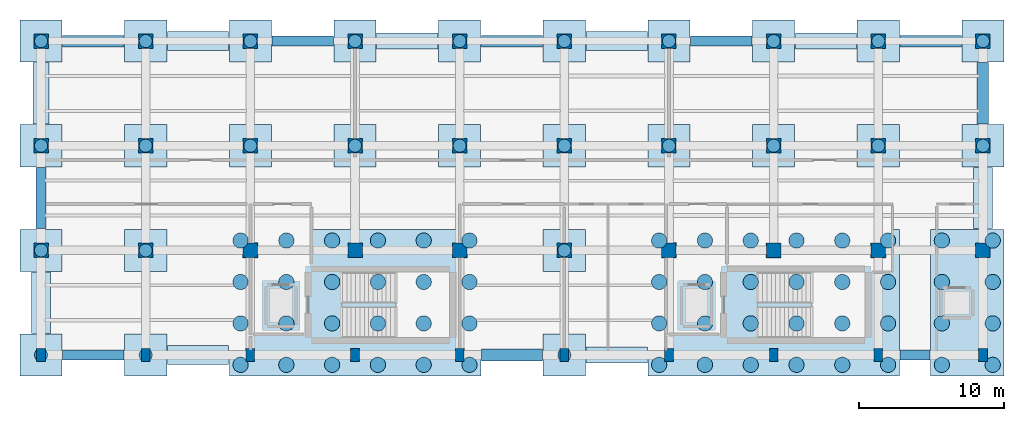
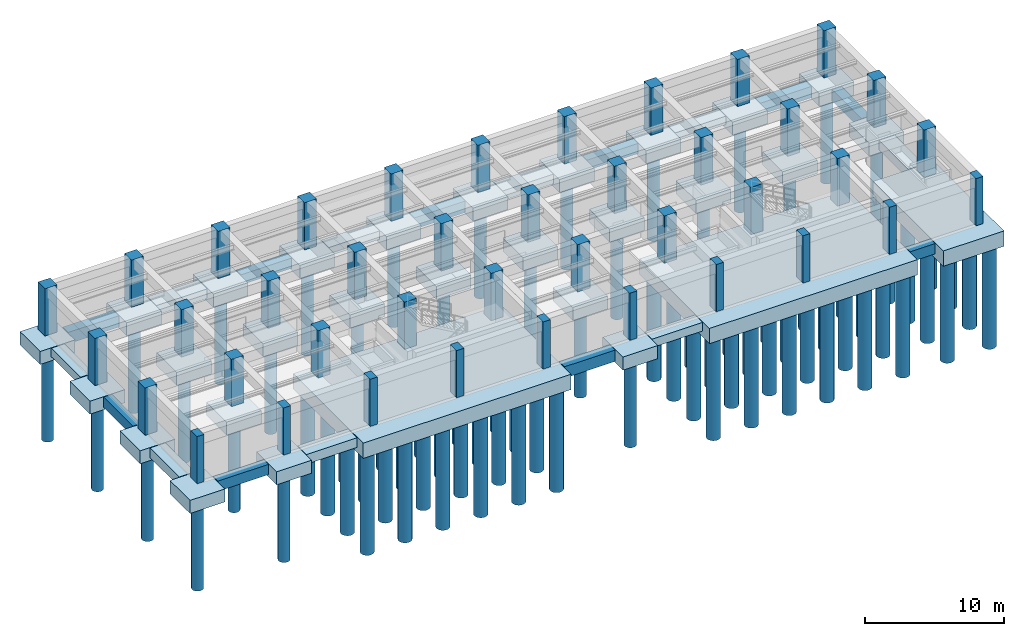
# One storey, part 1 of 8: 82 piles, 48 footings, 40 columns.
"""IFC4 building model written with IfcOpenShell, lengths in metres."""

from ifc_helpers import new_model, si_unit, direction, frame, origin, origin_2d, place, context, subcontext, project, spatial, polyline, rectangle, circle, outline, extrude, material, material_profile, profile_set, type_object, element, save


model = new_model("IFC4")

# Units and contexts
model_context = context("Model", 3, precision=1e-05, world=origin(), true_north=direction((0.0, 1.0)))
body_context = subcontext(model_context, "Body", "Model", "MODEL_VIEW")
ifc_project = project(units=[si_unit("LENGTHUNIT", "METRE"), si_unit("AREAUNIT", "SQUARE_METRE"), si_unit("VOLUMEUNIT", "CUBIC_METRE"), si_unit("PLANEANGLEUNIT", "RADIAN"), si_unit("MASSUNIT", "GRAM", prefix="KILO")], contexts=[model_context])

# Site, building, storey
site_placement = place(None, origin())
site = spatial("IfcSite", under=ifc_project, at=site_placement, CompositionType="ELEMENT")
building_placement = place(site_placement, origin())
building = spatial("IfcBuilding", under=site, at=building_placement, Name="Solenvale Faculty of Natural Sciences", CompositionType="ELEMENT")
storey_placement = place(building_placement, frame((0.0, 0.0, -9.0)))
storey = spatial("IfcBuildingStorey", under=building, at=storey_placement, Name="B02", CompositionType="ELEMENT", Elevation=-9.0)

# Footings
ifc_material_1 = material(Name="Concrete 40 MPa", Category="concrete")
footing_type_1 = type_object("IfcFootingType", Name="FT-CAP-17300x10100x1350", PredefinedType="PILE_CAP", material=ifc_material_1)
for number, where, z_axis, x_axis, name in (
    (1, (108.0, 97.199951171875, -1.800048828125), (0.0, 0.0, 1.0), (1.0, 0.0, 0.0), "B02 Pile Cap 3"),
    (2, (136.800048828125, 97.199951171875, -1.800048828125), (0.0, 0.0, 1.0), (1.0, 0.0, 0.0), "B02 Pile Cap 5"),
):
    element("IfcFooting", number, at=place(storey_placement, frame(where, z_axis=z_axis, x_axis=x_axis)), inside=storey, type_object=footing_type_1, Name=name, PredefinedType="PILE_CAP", context=body_context, shape_type="SweptSolid", body=[
        extrude(rectangle(XDim=17.300048828125, YDim=10.10009765625, at=origin_2d()), origin(), (0.0, 0.0, 1.0), 1.35009765625),
    ])
footing_type_2 = type_object("IfcFootingType", Name="FT-CAP-2900x2900x1150", PredefinedType="PILE_CAP", material=ifc_material_1)
for number, where, z_axis, x_axis, name in (
    (3, (86.39990234375, 93.60009765625, -1.599853515625), (0.0, 0.0, 1.0), (1.0, 0.0, 0.0), "B02 Pile Cap 1"),
    (4, (93.60009765625, 93.60009765625, -1.599853515625), (0.0, 0.0, 1.0), (1.0, 0.0, 0.0), "B02 Pile Cap 2"),
    (5, (122.39990234375, 93.60009765625, -1.599853515625), (0.0, 0.0, 1.0), (1.0, 0.0, 0.0), "B02 Pile Cap 4"),
    (6, (86.39990234375, 100.800048828125, -1.599853515625), (0.0, 0.0, 1.0), (1.0, 0.0, 0.0), "B02 Pile Cap 7"),
    (7, (93.60009765625, 100.800048828125, -1.599853515625), (0.0, 0.0, 1.0), (1.0, 0.0, 0.0), "B02 Pile Cap 8"),
    (8, (122.39990234375, 100.800048828125, -1.599853515625), (0.0, 0.0, 1.0), (1.0, 0.0, 0.0), "B02 Pile Cap 9"),
    (9, (86.39990234375, 108.0, -1.599853515625), (0.0, 0.0, 1.0), (1.0, 0.0, 0.0), "B02 Pile Cap 10"),
    (10, (93.60009765625, 108.0, -1.599853515625), (0.0, 0.0, 1.0), (1.0, 0.0, 0.0), "B02 Pile Cap 11"),
    (11, (100.800048828125, 108.0, -1.599853515625), (0.0, 0.0, 1.0), (1.0, 0.0, 0.0), "B02 Pile Cap 12"),
    (12, (108.0, 108.0, -1.599853515625), (0.0, 0.0, 1.0), (1.0, 0.0, 0.0), "B02 Pile Cap 13"),
    (13, (115.199951171875, 108.0, -1.599853515625), (0.0, 0.0, 1.0), (1.0, 0.0, 0.0), "B02 Pile Cap 14"),
    (14, (122.39990234375, 108.0, -1.599853515625), (0.0, 0.0, 1.0), (1.0, 0.0, 0.0), "B02 Pile Cap 15"),
    (15, (129.60009765625, 108.0, -1.599853515625), (0.0, 0.0, 1.0), (1.0, 0.0, 0.0), "B02 Pile Cap 16"),
    (16, (136.800048828125, 108.0, -1.599853515625), (0.0, 0.0, 1.0), (1.0, 0.0, 0.0), "B02 Pile Cap 17"),
    (17, (144.0, 108.0, -1.599853515625), (0.0, 0.0, 1.0), (1.0, 0.0, 0.0), "B02 Pile Cap 18"),
    (18, (151.199951171875, 108.0, -1.599853515625), (0.0, 0.0, 1.0), (1.0, 0.0, 0.0), "B02 Pile Cap 19"),
    (19, (86.39990234375, 115.199951171875, -1.599853515625), (0.0, 0.0, 1.0), (1.0, 0.0, 0.0), "B02 Pile Cap 20"),
    (20, (93.60009765625, 115.199951171875, -1.599853515625), (0.0, 0.0, 1.0), (1.0, 0.0, 0.0), "B02 Pile Cap 21"),
    (21, (100.800048828125, 115.199951171875, -1.599853515625), (0.0, 0.0, 1.0), (1.0, 0.0, 0.0), "B02 Pile Cap 22"),
    (22, (108.0, 115.199951171875, -1.599853515625), (0.0, 0.0, 1.0), (1.0, 0.0, 0.0), "B02 Pile Cap 23"),
    (23, (115.199951171875, 115.199951171875, -1.599853515625), (0.0, 0.0, 1.0), (1.0, 0.0, 0.0), "B02 Pile Cap 24"),
    (24, (122.39990234375, 115.199951171875, -1.599853515625), (0.0, 0.0, 1.0), (1.0, 0.0, 0.0), "B02 Pile Cap 25"),
    (25, (129.60009765625, 115.199951171875, -1.599853515625), (0.0, 0.0, 1.0), (1.0, 0.0, 0.0), "B02 Pile Cap 26"),
    (26, (136.800048828125, 115.199951171875, -1.599853515625), (0.0, 0.0, 1.0), (1.0, 0.0, 0.0), "B02 Pile Cap 27"),
    (27, (144.0, 115.199951171875, -1.599853515625), (0.0, 0.0, 1.0), (1.0, 0.0, 0.0), "B02 Pile Cap 28"),
    (28, (151.199951171875, 115.199951171875, -1.599853515625), (0.0, 0.0, 1.0), (1.0, 0.0, 0.0), "B02 Pile Cap 29"),
):
    element("IfcFooting", number, at=place(storey_placement, frame(where, z_axis=z_axis, x_axis=x_axis)), inside=storey, type_object=footing_type_2, Name=name, PredefinedType="PILE_CAP", context=body_context, shape_type="SweptSolid", body=[
        extrude(rectangle(XDim=2.89990234375, YDim=2.89990234375, at=origin_2d()), origin(), (0.0, 0.0, 1.0), 1.14990234375),
    ])
footing_type_3 = type_object("IfcFootingType", Name="FT-CAP-5050x10100x1350", PredefinedType="PILE_CAP", material=ifc_material_1)
footing_1_placement = place(storey_placement, frame((150.125, 97.199951171875, -1.800048828125), z_axis=(0.0, 0.0, 1.0), x_axis=(1.0, 0.0, 0.0)))
element("IfcFooting", 29, at=footing_1_placement, inside=storey, type_object=footing_type_3, Name="B02 Pile Cap 6", PredefinedType="PILE_CAP", context=body_context, shape_type="SweptSolid", body=[
    extrude(rectangle(XDim=5.050048828125, YDim=10.10009765625, at=origin_2d()), origin(), (0.0, 0.0, 1.0), 1.35009765625),
])
footing_type_4 = type_object("IfcFootingType", Name="FT-GB-700x900", PredefinedType="FOOTING_BEAM", material=ifc_material_1)
footing_2_placement = place(storey_placement, frame((0.0, 0.0, -1.35009765625)))
element("IfcFooting", 30, at=footing_2_placement, inside=storey, type_object=footing_type_4, Name="B02 Continuous Foundation Beam 2.3", PredefinedType="FOOTING_BEAM", context=body_context, shape_type="SweptSolid", body=[
    extrude(outline(polyline([(131.090087890625, 114.85009765625), (135.31005859375, 114.85009765625), (135.31005859375, 115.550048828125), (131.090087890625, 115.550048828125), (131.090087890625, 114.85009765625)])), origin(), (0.0, 0.0, 1.0), 0.900146484375),
])
footing_3_placement = place(storey_placement, frame((0.0, 0.0, -1.35009765625)))
element("IfcFooting", 31, at=footing_3_placement, inside=storey, type_object=footing_type_4, Name="B02 Continuous Foundation Beam 2.7", PredefinedType="FOOTING_BEAM", context=body_context, shape_type="SweptSolid", body=[
    extrude(outline(polyline([(102.2900390625, 114.85009765625), (106.510009765625, 114.85009765625), (106.510009765625, 115.550048828125), (102.2900390625, 115.550048828125), (102.2900390625, 114.85009765625)])), origin(), (0.0, 0.0, 1.0), 0.900146484375),
])
footing_4_placement = place(storey_placement, frame((0.0, 0.0, -1.35009765625)))
element("IfcFooting", 32, at=footing_4_placement, inside=storey, type_object=footing_type_4, Name="B02 Continuous Foundation Beam 3.2", PredefinedType="FOOTING_BEAM", context=body_context, shape_type="SweptSolid", body=[
    extrude(outline(polyline([(86.050048828125, 102.2900390625), (86.75, 102.2900390625), (86.75, 106.510009765625), (86.050048828125, 106.510009765625), (86.050048828125, 102.2900390625)])), origin(), (0.0, 0.0, 1.0), 0.900146484375),
])
footing_5_placement = place(storey_placement, frame((0.0, 0.0, -1.35009765625)))
element("IfcFooting", 33, at=footing_5_placement, inside=storey, type_object=footing_type_4, Name="B02 Continuous Foundation Beam 4.1", PredefinedType="FOOTING_BEAM", context=body_context, shape_type="SweptSolid", body=[
    extrude(outline(polyline([(87.889892578125, 93.25), (92.110107421875, 93.25), (92.110107421875, 93.949951171875), (87.889892578125, 93.949951171875), (87.889892578125, 93.25)])), origin(), (0.0, 0.0, 1.0), 0.900146484375),
])
footing_6_placement = place(storey_placement, frame((0.0, 0.0, -1.35009765625)))
element("IfcFooting", 34, at=footing_6_placement, inside=storey, type_object=footing_type_4, Name="B02 Continuous Foundation Beam 4.5", PredefinedType="FOOTING_BEAM", context=body_context, shape_type="SweptSolid", body=[
    extrude(outline(polyline([(145.489990234375, 93.25), (147.56005859375, 93.25), (147.56005859375, 93.949951171875), (145.489990234375, 93.949951171875), (145.489990234375, 93.25)])), origin(), (0.0, 0.0, 1.0), 0.900146484375),
])
footing_type_5 = type_object("IfcFootingType", Name="FT-GB-800x1000", PredefinedType="FOOTING_BEAM", material=ifc_material_1)
footing_7_placement = place(storey_placement, frame((0.0, 0.0, -1.449951171875)))
element("IfcFooting", 35, at=footing_7_placement, inside=storey, type_object=footing_type_5, Name="B02 Continuous Foundation Beam 1.2", PredefinedType="FOOTING_BEAM", context=body_context, shape_type="SweptSolid", body=[
    extrude(outline(polyline([(150.800048828125, 109.489990234375), (151.60009765625, 109.489990234375), (151.60009765625, 113.7099609375), (150.800048828125, 113.7099609375), (150.800048828125, 109.489990234375)])), origin(), (0.0, 0.0, 1.0), 1.0),
])
footing_8_placement = place(storey_placement, frame((0.0, 0.0, -1.449951171875)))
element("IfcFooting", 36, at=footing_8_placement, inside=storey, type_object=footing_type_5, Name="B02 Continuous Foundation Beam 2.1", PredefinedType="FOOTING_BEAM", context=body_context, shape_type="SweptSolid", body=[
    extrude(outline(polyline([(145.489990234375, 114.800048828125), (149.7099609375, 114.800048828125), (149.7099609375, 115.60009765625), (145.489990234375, 115.60009765625), (145.489990234375, 114.800048828125)])), origin(), (0.0, 0.0, 1.0), 1.0),
])
footing_9_placement = place(storey_placement, frame((0.0, 0.0, -1.449951171875)))
element("IfcFooting", 37, at=footing_9_placement, inside=storey, type_object=footing_type_5, Name="B02 Continuous Foundation Beam 2.5", PredefinedType="FOOTING_BEAM", context=body_context, shape_type="SweptSolid", body=[
    extrude(outline(polyline([(116.68994140625, 114.800048828125), (120.909912109375, 114.800048828125), (120.909912109375, 115.60009765625), (116.68994140625, 115.60009765625), (116.68994140625, 114.800048828125)])), origin(), (0.0, 0.0, 1.0), 1.0),
])
footing_10_placement = place(storey_placement, frame((0.0, 0.0, -1.449951171875)))
element("IfcFooting", 38, at=footing_10_placement, inside=storey, type_object=footing_type_5, Name="B02 Continuous Foundation Beam 2.9", PredefinedType="FOOTING_BEAM", context=body_context, shape_type="SweptSolid", body=[
    extrude(outline(polyline([(87.889892578125, 114.800048828125), (92.110107421875, 114.800048828125), (92.110107421875, 115.60009765625), (87.889892578125, 115.60009765625), (87.889892578125, 114.800048828125)])), origin(), (0.0, 0.0, 1.0), 1.0),
])
footing_11_placement = place(storey_placement, frame((0.0, 0.0, -1.449951171875)))
element("IfcFooting", 39, at=footing_11_placement, inside=storey, type_object=footing_type_5, Name="B02 Continuous Foundation Beam 4.3", PredefinedType="FOOTING_BEAM", context=body_context, shape_type="SweptSolid", body=[
    extrude(outline(polyline([(116.68994140625, 93.199951171875), (120.909912109375, 93.199951171875), (120.909912109375, 94.0), (116.68994140625, 94.0), (116.68994140625, 93.199951171875)])), origin(), (0.0, 0.0, 1.0), 1.0),
])
footing_type_6 = type_object("IfcFootingType", Name="FT-ST-1100x750", PredefinedType="STRIP_FOOTING", material=ifc_material_1)
footing_12_placement = place(storey_placement, frame((0.0, 0.0, -1.199951171875)))
element("IfcFooting", 40, at=footing_12_placement, inside=storey, type_object=footing_type_6, Name="B02 Continuous Foundation Beam 2.2", PredefinedType="STRIP_FOOTING", context=body_context, shape_type="SweptSolid", body=[
    extrude(outline(polyline([(138.2900390625, 114.64990234375), (142.510009765625, 114.64990234375), (142.510009765625, 115.75), (138.2900390625, 115.75), (138.2900390625, 114.64990234375)])), origin(), (0.0, 0.0, 1.0), 0.75),
])
footing_13_placement = place(storey_placement, frame((0.0, 0.0, -1.199951171875)))
element("IfcFooting", 41, at=footing_13_placement, inside=storey, type_object=footing_type_6, Name="B02 Continuous Foundation Beam 2.6", PredefinedType="STRIP_FOOTING", context=body_context, shape_type="SweptSolid", body=[
    extrude(outline(polyline([(109.489990234375, 114.64990234375), (113.7099609375, 114.64990234375), (113.7099609375, 115.75), (109.489990234375, 115.75), (109.489990234375, 114.64990234375)])), origin(), (0.0, 0.0, 1.0), 0.75),
])
footing_14_placement = place(storey_placement, frame((0.0, 0.0, -1.199951171875)))
element("IfcFooting", 42, at=footing_14_placement, inside=storey, type_object=footing_type_6, Name="B02 Continuous Foundation Beam 3.1", PredefinedType="STRIP_FOOTING", context=body_context, shape_type="SweptSolid", body=[
    extrude(outline(polyline([(85.85009765625, 109.489990234375), (86.949951171875, 109.489990234375), (86.949951171875, 113.7099609375), (85.85009765625, 113.7099609375), (85.85009765625, 109.489990234375)])), origin(), (0.0, 0.0, 1.0), 0.75),
])
footing_15_placement = place(storey_placement, frame((0.0, 0.0, -1.199951171875)))
element("IfcFooting", 43, at=footing_15_placement, inside=storey, type_object=footing_type_6, Name="B02 Continuous Foundation Beam 4.4", PredefinedType="STRIP_FOOTING", context=body_context, shape_type="SweptSolid", body=[
    extrude(outline(polyline([(123.889892578125, 93.050048828125), (128.110107421875, 93.050048828125), (128.110107421875, 94.14990234375), (123.889892578125, 94.14990234375), (123.889892578125, 93.050048828125)])), origin(), (0.0, 0.0, 1.0), 0.75),
])
footing_type_7 = type_object("IfcFootingType", Name="FT-ST-1300x850", PredefinedType="STRIP_FOOTING", material=ifc_material_1)
footing_16_placement = place(storey_placement, frame((0.0, 0.0, -1.300048828125)))
element("IfcFooting", 44, at=footing_16_placement, inside=storey, type_object=footing_type_7, Name="B02 Continuous Foundation Beam 1.1", PredefinedType="STRIP_FOOTING", context=body_context, shape_type="SweptSolid", body=[
    extrude(outline(polyline([(150.550048828125, 102.2900390625), (151.85009765625, 102.2900390625), (151.85009765625, 106.510009765625), (150.550048828125, 106.510009765625), (150.550048828125, 102.2900390625)])), origin(), (0.0, 0.0, 1.0), 0.85009765625),
])
footing_17_placement = place(storey_placement, frame((0.0, 0.0, -1.300048828125)))
element("IfcFooting", 45, at=footing_17_placement, inside=storey, type_object=footing_type_7, Name="B02 Continuous Foundation Beam 2.4", PredefinedType="STRIP_FOOTING", context=body_context, shape_type="SweptSolid", body=[
    extrude(outline(polyline([(123.889892578125, 114.550048828125), (128.110107421875, 114.550048828125), (128.110107421875, 115.85009765625), (123.889892578125, 115.85009765625), (123.889892578125, 114.550048828125)])), origin(), (0.0, 0.0, 1.0), 0.85009765625),
])
footing_18_placement = place(storey_placement, frame((0.0, 0.0, -1.300048828125)))
element("IfcFooting", 46, at=footing_18_placement, inside=storey, type_object=footing_type_7, Name="B02 Continuous Foundation Beam 2.8", PredefinedType="STRIP_FOOTING", context=body_context, shape_type="SweptSolid", body=[
    extrude(outline(polyline([(95.090087890625, 114.550048828125), (99.31005859375, 114.550048828125), (99.31005859375, 115.85009765625), (95.090087890625, 115.85009765625), (95.090087890625, 114.550048828125)])), origin(), (0.0, 0.0, 1.0), 0.85009765625),
])
footing_19_placement = place(storey_placement, frame((0.0, 0.0, -1.300048828125)))
element("IfcFooting", 47, at=footing_19_placement, inside=storey, type_object=footing_type_7, Name="B02 Continuous Foundation Beam 3.3", PredefinedType="STRIP_FOOTING", context=body_context, shape_type="SweptSolid", body=[
    extrude(outline(polyline([(85.75, 95.090087890625), (87.050048828125, 95.090087890625), (87.050048828125, 99.31005859375), (85.75, 99.31005859375), (85.75, 95.090087890625)])), origin(), (0.0, 0.0, 1.0), 0.85009765625),
])
footing_20_placement = place(storey_placement, frame((0.0, 0.0, -1.300048828125)))
element("IfcFooting", 48, at=footing_20_placement, inside=storey, type_object=footing_type_7, Name="B02 Continuous Foundation Beam 4.2", PredefinedType="STRIP_FOOTING", context=body_context, shape_type="SweptSolid", body=[
    extrude(outline(polyline([(95.090087890625, 92.949951171875), (99.31005859375, 92.949951171875), (99.31005859375, 94.25), (95.090087890625, 94.25), (95.090087890625, 92.949951171875)])), origin(), (0.0, 0.0, 1.0), 0.85009765625),
])

# Piles
ifc_material_profile_1 = material_profile(ifc_material_1, circle(Radius=0.52490234375, at=origin_2d()), Name="PILE-D1050")
ifc_profile_set_1 = profile_set([ifc_material_profile_1], Name="Concrete 40 MPa")
pile_type_1 = type_object("IfcPileType", Name="PL-BOR-1050", PredefinedType="BORED", material=ifc_profile_set_1)
for number, where, z_axis, x_axis, name in (
    (49, (100.125, 92.925048828125, -1.699951171875), (0.0, 0.0, -1.0), (1.0, 0.0, 0.0), "B02 Bored Pile 3"),
    (50, (100.125, 95.77490234375, -1.699951171875), (0.0, 0.0, -1.0), (1.0, 0.0, 0.0), "B02 Bored Pile 4"),
    (51, (100.125, 98.625, -1.699951171875), (0.0, 0.0, -1.0), (1.0, 0.0, 0.0), "B02 Bored Pile 5"),
    (52, (100.125, 101.47509765625, -1.699951171875), (0.0, 0.0, -1.0), (1.0, 0.0, 0.0), "B02 Bored Pile 6"),
    (53, (103.27490234375, 92.925048828125, -1.699951171875), (0.0, 0.0, -1.0), (1.0, 0.0, 0.0), "B02 Bored Pile 7"),
    (54, (103.27490234375, 95.77490234375, -1.699951171875), (0.0, 0.0, -1.0), (1.0, 0.0, 0.0), "B02 Bored Pile 8"),
    (55, (103.27490234375, 98.625, -1.699951171875), (0.0, 0.0, -1.0), (1.0, 0.0, 0.0), "B02 Bored Pile 9"),
    (56, (103.27490234375, 101.47509765625, -1.699951171875), (0.0, 0.0, -1.0), (1.0, 0.0, 0.0), "B02 Bored Pile 10"),
    (57, (106.425048828125, 92.925048828125, -1.699951171875), (0.0, 0.0, -1.0), (1.0, 0.0, 0.0), "B02 Bored Pile 11"),
    (58, (106.425048828125, 95.77490234375, -1.699951171875), (0.0, 0.0, -1.0), (1.0, 0.0, 0.0), "B02 Bored Pile 12"),
    (59, (106.425048828125, 98.625, -1.699951171875), (0.0, 0.0, -1.0), (1.0, 0.0, 0.0), "B02 Bored Pile 13"),
    (60, (106.425048828125, 101.47509765625, -1.699951171875), (0.0, 0.0, -1.0), (1.0, 0.0, 0.0), "B02 Bored Pile 14"),
    (61, (109.574951171875, 92.925048828125, -1.699951171875), (0.0, 0.0, -1.0), (1.0, 0.0, 0.0), "B02 Bored Pile 15"),
    (62, (109.574951171875, 95.77490234375, -1.699951171875), (0.0, 0.0, -1.0), (1.0, 0.0, 0.0), "B02 Bored Pile 16"),
    (63, (109.574951171875, 98.625, -1.699951171875), (0.0, 0.0, -1.0), (1.0, 0.0, 0.0), "B02 Bored Pile 17"),
    (64, (109.574951171875, 101.47509765625, -1.699951171875), (0.0, 0.0, -1.0), (1.0, 0.0, 0.0), "B02 Bored Pile 18"),
    (65, (112.72509765625, 92.925048828125, -1.699951171875), (0.0, 0.0, -1.0), (1.0, 0.0, 0.0), "B02 Bored Pile 19"),
    (66, (112.72509765625, 95.77490234375, -1.699951171875), (0.0, 0.0, -1.0), (1.0, 0.0, 0.0), "B02 Bored Pile 20"),
    (67, (112.72509765625, 98.625, -1.699951171875), (0.0, 0.0, -1.0), (1.0, 0.0, 0.0), "B02 Bored Pile 21"),
    (68, (112.72509765625, 101.47509765625, -1.699951171875), (0.0, 0.0, -1.0), (1.0, 0.0, 0.0), "B02 Bored Pile 22"),
    (69, (115.875, 92.925048828125, -1.699951171875), (0.0, 0.0, -1.0), (1.0, 0.0, 0.0), "B02 Bored Pile 23"),
    (70, (115.875, 95.77490234375, -1.699951171875), (0.0, 0.0, -1.0), (1.0, 0.0, 0.0), "B02 Bored Pile 24"),
    (71, (115.875, 98.625, -1.699951171875), (0.0, 0.0, -1.0), (1.0, 0.0, 0.0), "B02 Bored Pile 25"),
    (72, (115.875, 101.47509765625, -1.699951171875), (0.0, 0.0, -1.0), (1.0, 0.0, 0.0), "B02 Bored Pile 26"),
    (73, (128.925048828125, 92.925048828125, -1.699951171875), (0.0, 0.0, -1.0), (1.0, 0.0, 0.0), "B02 Bored Pile 28"),
    (74, (128.925048828125, 95.77490234375, -1.699951171875), (0.0, 0.0, -1.0), (1.0, 0.0, 0.0), "B02 Bored Pile 29"),
    (75, (128.925048828125, 98.625, -1.699951171875), (0.0, 0.0, -1.0), (1.0, 0.0, 0.0), "B02 Bored Pile 30"),
    (76, (128.925048828125, 101.47509765625, -1.699951171875), (0.0, 0.0, -1.0), (1.0, 0.0, 0.0), "B02 Bored Pile 31"),
    (77, (132.074951171875, 92.925048828125, -1.699951171875), (0.0, 0.0, -1.0), (1.0, 0.0, 0.0), "B02 Bored Pile 32"),
    (78, (132.074951171875, 95.77490234375, -1.699951171875), (0.0, 0.0, -1.0), (1.0, 0.0, 0.0), "B02 Bored Pile 33"),
    (79, (132.074951171875, 98.625, -1.699951171875), (0.0, 0.0, -1.0), (1.0, 0.0, 0.0), "B02 Bored Pile 34"),
    (80, (132.074951171875, 101.47509765625, -1.699951171875), (0.0, 0.0, -1.0), (1.0, 0.0, 0.0), "B02 Bored Pile 35"),
    (81, (135.22509765625, 92.925048828125, -1.699951171875), (0.0, 0.0, -1.0), (1.0, 0.0, 0.0), "B02 Bored Pile 36"),
    (82, (135.22509765625, 95.77490234375, -1.699951171875), (0.0, 0.0, -1.0), (1.0, 0.0, 0.0), "B02 Bored Pile 37"),
    (83, (135.22509765625, 98.625, -1.699951171875), (0.0, 0.0, -1.0), (1.0, 0.0, 0.0), "B02 Bored Pile 38"),
    (84, (135.22509765625, 101.47509765625, -1.699951171875), (0.0, 0.0, -1.0), (1.0, 0.0, 0.0), "B02 Bored Pile 39"),
    (85, (138.375, 92.925048828125, -1.699951171875), (0.0, 0.0, -1.0), (1.0, 0.0, 0.0), "B02 Bored Pile 40"),
    (86, (138.375, 95.77490234375, -1.699951171875), (0.0, 0.0, -1.0), (1.0, 0.0, 0.0), "B02 Bored Pile 41"),
    (87, (138.375, 98.625, -1.699951171875), (0.0, 0.0, -1.0), (1.0, 0.0, 0.0), "B02 Bored Pile 42"),
    (88, (138.375, 101.47509765625, -1.699951171875), (0.0, 0.0, -1.0), (1.0, 0.0, 0.0), "B02 Bored Pile 43"),
    (89, (141.52490234375, 92.925048828125, -1.699951171875), (0.0, 0.0, -1.0), (1.0, 0.0, 0.0), "B02 Bored Pile 44"),
    (90, (141.52490234375, 95.77490234375, -1.699951171875), (0.0, 0.0, -1.0), (1.0, 0.0, 0.0), "B02 Bored Pile 45"),
    (91, (141.52490234375, 98.625, -1.699951171875), (0.0, 0.0, -1.0), (1.0, 0.0, 0.0), "B02 Bored Pile 46"),
    (92, (141.52490234375, 101.47509765625, -1.699951171875), (0.0, 0.0, -1.0), (1.0, 0.0, 0.0), "B02 Bored Pile 47"),
    (93, (144.675048828125, 92.925048828125, -1.699951171875), (0.0, 0.0, -1.0), (1.0, 0.0, 0.0), "B02 Bored Pile 48"),
    (94, (144.675048828125, 95.77490234375, -1.699951171875), (0.0, 0.0, -1.0), (1.0, 0.0, 0.0), "B02 Bored Pile 49"),
    (95, (144.675048828125, 98.625, -1.699951171875), (0.0, 0.0, -1.0), (1.0, 0.0, 0.0), "B02 Bored Pile 50"),
    (96, (144.675048828125, 101.47509765625, -1.699951171875), (0.0, 0.0, -1.0), (1.0, 0.0, 0.0), "B02 Bored Pile 51"),
    (97, (148.375, 92.925048828125, -1.699951171875), (0.0, 0.0, -1.0), (1.0, 0.0, 0.0), "B02 Bored Pile 52"),
    (98, (148.375, 95.77490234375, -1.699951171875), (0.0, 0.0, -1.0), (1.0, 0.0, 0.0), "B02 Bored Pile 53"),
    (99, (148.375, 98.625, -1.699951171875), (0.0, 0.0, -1.0), (1.0, 0.0, 0.0), "B02 Bored Pile 54"),
    (100, (148.375, 101.47509765625, -1.699951171875), (0.0, 0.0, -1.0), (1.0, 0.0, 0.0), "B02 Bored Pile 55"),
    (101, (151.875, 92.925048828125, -1.699951171875), (0.0, 0.0, -1.0), (1.0, 0.0, 0.0), "B02 Bored Pile 56"),
    (102, (151.875, 95.77490234375, -1.699951171875), (0.0, 0.0, -1.0), (1.0, 0.0, 0.0), "B02 Bored Pile 57"),
    (103, (151.875, 98.625, -1.699951171875), (0.0, 0.0, -1.0), (1.0, 0.0, 0.0), "B02 Bored Pile 58"),
    (104, (151.875, 101.47509765625, -1.699951171875), (0.0, 0.0, -1.0), (1.0, 0.0, 0.0), "B02 Bored Pile 59"),
):
    element("IfcPile", number, at=place(storey_placement, frame(where, z_axis=z_axis, x_axis=x_axis)), inside=storey, type_object=pile_type_1, Name=name, PredefinedType="BORED", context=body_context, shape_type="SweptSolid", body=[
        extrude(circle(Radius=0.52490234375, at=origin_2d()), origin(), (0.0, 0.0, 1.0), 9.0),
    ])
ifc_material_profile_2 = material_profile(ifc_material_1, circle(Radius=0.449951171875, at=origin_2d()), Name="PILE-D900")
ifc_profile_set_2 = profile_set([ifc_material_profile_2], Name="Concrete 40 MPa")
pile_type_2 = type_object("IfcPileType", Name="PL-BOR-900", PredefinedType="BORED", material=ifc_profile_set_2)
for number, where, z_axis, x_axis, name in (
    (105, (86.39990234375, 93.60009765625, -1.5), (0.0, 0.0, -1.0), (1.0, 0.0, 0.0), "B02 Bored Pile 1"),
    (106, (93.60009765625, 93.60009765625, -1.5), (0.0, 0.0, -1.0), (1.0, 0.0, 0.0), "B02 Bored Pile 2"),
    (107, (122.39990234375, 93.60009765625, -1.5), (0.0, 0.0, -1.0), (1.0, 0.0, 0.0), "B02 Bored Pile 27"),
    (108, (86.39990234375, 100.800048828125, -1.5), (0.0, 0.0, -1.0), (1.0, 0.0, 0.0), "B02 Bored Pile 60"),
    (109, (93.60009765625, 100.800048828125, -1.5), (0.0, 0.0, -1.0), (1.0, 0.0, 0.0), "B02 Bored Pile 61"),
    (110, (122.39990234375, 100.800048828125, -1.5), (0.0, 0.0, -1.0), (1.0, 0.0, 0.0), "B02 Bored Pile 62"),
    (111, (86.39990234375, 108.0, -1.5), (0.0, 0.0, -1.0), (1.0, 0.0, 0.0), "B02 Bored Pile 63"),
    (112, (93.60009765625, 108.0, -1.5), (0.0, 0.0, -1.0), (1.0, 0.0, 0.0), "B02 Bored Pile 64"),
    (113, (100.800048828125, 108.0, -1.5), (0.0, 0.0, -1.0), (1.0, 0.0, 0.0), "B02 Bored Pile 65"),
    (114, (108.0, 108.0, -1.5), (0.0, 0.0, -1.0), (1.0, 0.0, 0.0), "B02 Bored Pile 66"),
    (115, (115.199951171875, 108.0, -1.5), (0.0, 0.0, -1.0), (1.0, 0.0, 0.0), "B02 Bored Pile 67"),
    (116, (122.39990234375, 108.0, -1.5), (0.0, 0.0, -1.0), (1.0, 0.0, 0.0), "B02 Bored Pile 68"),
    (117, (129.60009765625, 108.0, -1.5), (0.0, 0.0, -1.0), (1.0, 0.0, 0.0), "B02 Bored Pile 69"),
    (118, (136.800048828125, 108.0, -1.5), (0.0, 0.0, -1.0), (1.0, 0.0, 0.0), "B02 Bored Pile 70"),
    (119, (144.0, 108.0, -1.5), (0.0, 0.0, -1.0), (1.0, 0.0, 0.0), "B02 Bored Pile 71"),
    (120, (151.199951171875, 108.0, -1.5), (0.0, 0.0, -1.0), (1.0, 0.0, 0.0), "B02 Bored Pile 72"),
    (121, (86.39990234375, 115.199951171875, -1.5), (0.0, 0.0, -1.0), (1.0, 0.0, 0.0), "B02 Bored Pile 73"),
    (122, (93.60009765625, 115.199951171875, -1.5), (0.0, 0.0, -1.0), (1.0, 0.0, 0.0), "B02 Bored Pile 74"),
    (123, (100.800048828125, 115.199951171875, -1.5), (0.0, 0.0, -1.0), (1.0, 0.0, 0.0), "B02 Bored Pile 75"),
    (124, (108.0, 115.199951171875, -1.5), (0.0, 0.0, -1.0), (1.0, 0.0, 0.0), "B02 Bored Pile 76"),
    (125, (115.199951171875, 115.199951171875, -1.5), (0.0, 0.0, -1.0), (1.0, 0.0, 0.0), "B02 Bored Pile 77"),
    (126, (122.39990234375, 115.199951171875, -1.5), (0.0, 0.0, -1.0), (1.0, 0.0, 0.0), "B02 Bored Pile 78"),
    (127, (129.60009765625, 115.199951171875, -1.5), (0.0, 0.0, -1.0), (1.0, 0.0, 0.0), "B02 Bored Pile 79"),
    (128, (136.800048828125, 115.199951171875, -1.5), (0.0, 0.0, -1.0), (1.0, 0.0, 0.0), "B02 Bored Pile 80"),
    (129, (144.0, 115.199951171875, -1.5), (0.0, 0.0, -1.0), (1.0, 0.0, 0.0), "B02 Bored Pile 81"),
    (130, (151.199951171875, 115.199951171875, -1.5), (0.0, 0.0, -1.0), (1.0, 0.0, 0.0), "B02 Bored Pile 82"),
):
    element("IfcPile", number, at=place(storey_placement, frame(where, z_axis=z_axis, x_axis=x_axis)), inside=storey, type_object=pile_type_2, Name=name, PredefinedType="BORED", context=body_context, shape_type="SweptSolid", body=[
        extrude(circle(Radius=0.449951171875, at=origin_2d()), origin(), (0.0, 0.0, 1.0), 8.0),
    ])

# Columns
ifc_material_2 = material(Name="Concrete 50 MPa", Category="concrete")
ifc_material_profile_3 = material_profile(ifc_material_2, rectangle(XDim=1.0, YDim=1.0, at=origin_2d()), Name="RC-COL-1000x1000")
ifc_profile_set_3 = profile_set([ifc_material_profile_3], Name="Concrete 50 MPa")
column_type_1 = type_object("IfcColumnType", Name="COL-RC-1000", PredefinedType="COLUMN", material=ifc_profile_set_3)
for number, where, z_axis, x_axis, name in (
    (131, (86.39990234375, 100.800048828125, 0.0), (0.0, 0.0, 1.0), (1.0, 0.0, 0.0), "B02 Column (86.4, 100.8)"),
    (132, (86.39990234375, 108.0, 0.0), (0.0, 0.0, 1.0), (1.0, 0.0, 0.0), "B02 Column (86.4, 108.0)"),
    (133, (86.39990234375, 115.199951171875, 0.0), (0.0, 0.0, 1.0), (1.0, 0.0, 0.0), "B02 Column (86.4, 115.2)"),
    (134, (93.60009765625, 100.800048828125, 0.0), (0.0, 0.0, 1.0), (1.0, 0.0, 0.0), "B02 Column (93.6, 100.8)"),
    (135, (93.60009765625, 108.0, 0.0), (0.0, 0.0, 1.0), (1.0, 0.0, 0.0), "B02 Column (93.6, 108.0)"),
    (136, (93.60009765625, 115.199951171875, 0.0), (0.0, 0.0, 1.0), (1.0, 0.0, 0.0), "B02 Column (93.6, 115.2)"),
    (137, (100.800048828125, 100.800048828125, 0.0), (0.0, 0.0, 1.0), (1.0, 0.0, 0.0), "B02 Column (100.8, 100.8)"),
    (138, (100.800048828125, 108.0, 0.0), (0.0, 0.0, 1.0), (1.0, 0.0, 0.0), "B02 Column (100.8, 108.0)"),
    (139, (100.800048828125, 115.199951171875, 0.0), (0.0, 0.0, 1.0), (1.0, 0.0, 0.0), "B02 Column (100.8, 115.2)"),
    (140, (108.0, 100.800048828125, 0.0), (0.0, 0.0, 1.0), (1.0, 0.0, 0.0), "B02 Column (108.0, 100.8)"),
    (141, (108.0, 108.0, 0.0), (0.0, 0.0, 1.0), (1.0, 0.0, 0.0), "B02 Column (108.0, 108.0)"),
    (142, (108.0, 115.199951171875, 0.0), (0.0, 0.0, 1.0), (1.0, 0.0, 0.0), "B02 Column (108.0, 115.2)"),
    (143, (115.199951171875, 100.800048828125, 0.0), (0.0, 0.0, 1.0), (1.0, 0.0, 0.0), "B02 Column (115.2, 100.8)"),
    (144, (115.199951171875, 108.0, 0.0), (0.0, 0.0, 1.0), (1.0, 0.0, 0.0), "B02 Column (115.2, 108.0)"),
    (145, (115.199951171875, 115.199951171875, 0.0), (0.0, 0.0, 1.0), (1.0, 0.0, 0.0), "B02 Column (115.2, 115.2)"),
    (146, (122.39990234375, 100.800048828125, 0.0), (0.0, 0.0, 1.0), (1.0, 0.0, 0.0), "B02 Column (122.4, 100.8)"),
    (147, (122.39990234375, 108.0, 0.0), (0.0, 0.0, 1.0), (1.0, 0.0, 0.0), "B02 Column (122.4, 108.0)"),
    (148, (122.39990234375, 115.199951171875, 0.0), (0.0, 0.0, 1.0), (1.0, 0.0, 0.0), "B02 Column (122.4, 115.2)"),
    (149, (129.60009765625, 100.800048828125, 0.0), (0.0, 0.0, 1.0), (1.0, 0.0, 0.0), "B02 Column (129.6, 100.8)"),
    (150, (129.60009765625, 108.0, 0.0), (0.0, 0.0, 1.0), (1.0, 0.0, 0.0), "B02 Column (129.6, 108.0)"),
    (151, (129.60009765625, 115.199951171875, 0.0), (0.0, 0.0, 1.0), (1.0, 0.0, 0.0), "B02 Column (129.6, 115.2)"),
    (152, (136.800048828125, 100.800048828125, 0.0), (0.0, 0.0, 1.0), (1.0, 0.0, 0.0), "B02 Column (136.8, 100.8)"),
    (153, (136.800048828125, 108.0, 0.0), (0.0, 0.0, 1.0), (1.0, 0.0, 0.0), "B02 Column (136.8, 108.0)"),
    (154, (136.800048828125, 115.199951171875, 0.0), (0.0, 0.0, 1.0), (1.0, 0.0, 0.0), "B02 Column (136.8, 115.2)"),
    (155, (144.0, 100.800048828125, 0.0), (0.0, 0.0, 1.0), (1.0, 0.0, 0.0), "B02 Column (144.0, 100.8)"),
    (156, (144.0, 108.0, 0.0), (0.0, 0.0, 1.0), (1.0, 0.0, 0.0), "B02 Column (144.0, 108.0)"),
    (157, (144.0, 115.199951171875, 0.0), (0.0, 0.0, 1.0), (1.0, 0.0, 0.0), "B02 Column (144.0, 115.2)"),
    (158, (151.199951171875, 100.800048828125, 0.0), (0.0, 0.0, 1.0), (1.0, 0.0, 0.0), "B02 Column (151.2, 100.8)"),
    (159, (151.199951171875, 108.0, 0.0), (0.0, 0.0, 1.0), (1.0, 0.0, 0.0), "B02 Column (151.2, 108.0)"),
    (160, (151.199951171875, 115.199951171875, 0.0), (0.0, 0.0, 1.0), (1.0, 0.0, 0.0), "B02 Column (151.2, 115.2)"),
):
    element("IfcColumn", number, at=place(storey_placement, frame(where, z_axis=z_axis, x_axis=x_axis)), inside=storey, type_object=column_type_1, Name=name, PredefinedType="COLUMN", context=body_context, shape_type="SweptSolid", body=[
        extrude(rectangle(XDim=1.0, YDim=1.0, at=origin_2d()), origin(), (0.0, 0.0, 1.0), 4.14990234375),
    ])
ifc_material_profile_4 = material_profile(ifc_material_2, rectangle(XDim=0.60009765625, YDim=0.89990234375, at=origin_2d()), Name="RC-COL-600x900")
ifc_profile_set_4 = profile_set([ifc_material_profile_4], Name="Concrete 50 MPa")
column_type_2 = type_object("IfcColumnType", Name="COL-RC-600x900", PredefinedType="COLUMN", material=ifc_profile_set_4)
for number, where, z_axis, x_axis, name in (
    (161, (86.39990234375, 93.60009765625, 0.0), (0.0, 0.0, 1.0), (1.0, 0.0, 0.0), "B02 Column (86.4, 93.6)"),
    (162, (93.60009765625, 93.60009765625, 0.0), (0.0, 0.0, 1.0), (1.0, 0.0, 0.0), "B02 Column (93.6, 93.6)"),
    (163, (100.800048828125, 93.60009765625, 0.0), (0.0, 0.0, 1.0), (1.0, 0.0, 0.0), "B02 Column (100.8, 93.6)"),
    (164, (108.0, 93.60009765625, 0.0), (0.0, 0.0, 1.0), (1.0, 0.0, 0.0), "B02 Column (108.0, 93.6)"),
    (165, (115.199951171875, 93.60009765625, 0.0), (0.0, 0.0, 1.0), (1.0, 0.0, 0.0), "B02 Column (115.2, 93.6)"),
    (166, (122.39990234375, 93.60009765625, 0.0), (0.0, 0.0, 1.0), (1.0, 0.0, 0.0), "B02 Column (122.4, 93.6)"),
    (167, (129.60009765625, 93.60009765625, 0.0), (0.0, 0.0, 1.0), (1.0, 0.0, 0.0), "B02 Column (129.6, 93.6)"),
    (168, (136.800048828125, 93.60009765625, 0.0), (0.0, 0.0, 1.0), (1.0, 0.0, 0.0), "B02 Column (136.8, 93.6)"),
    (169, (144.0, 93.60009765625, 0.0), (0.0, 0.0, 1.0), (1.0, 0.0, 0.0), "B02 Column (144.0, 93.6)"),
    (170, (151.199951171875, 93.60009765625, 0.0), (0.0, 0.0, 1.0), (1.0, 0.0, 0.0), "B02 Column (151.2, 93.6)"),
):
    element("IfcColumn", number, at=place(storey_placement, frame(where, z_axis=z_axis, x_axis=x_axis)), inside=storey, type_object=column_type_2, Name=name, PredefinedType="COLUMN", context=body_context, shape_type="SweptSolid", body=[
        extrude(rectangle(XDim=0.60009765625, YDim=0.89990234375, at=origin_2d()), origin(), (0.0, 0.0, 1.0), 4.14990234375),
    ])

save(model, "model.ifc")
